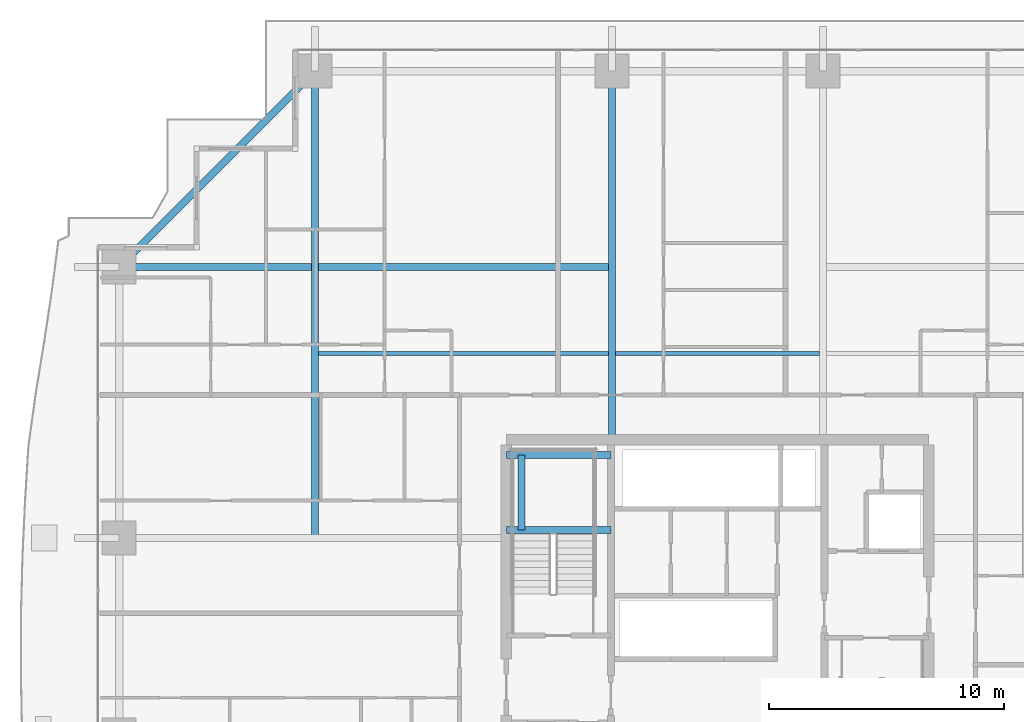
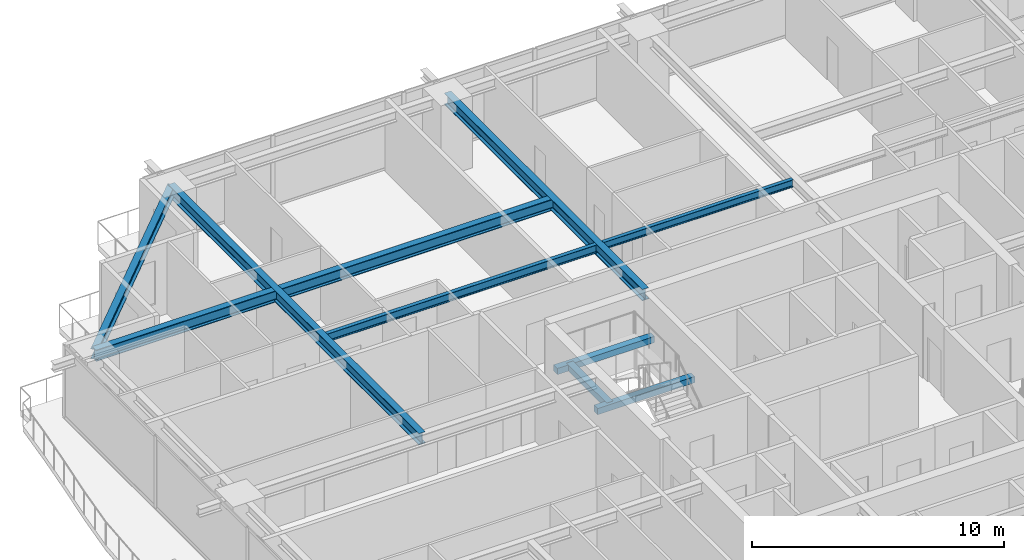
# One storey, part 18 of 39: 9 beams.
"""IFC4 building model written with IfcOpenShell, lengths in metres."""

from ifc_helpers import new_model, si_unit, direction, frame, origin, origin_2d, place, context, subcontext, project, spatial, rectangle, i_section, extrude, source, transform, mapped, material, material_profile, profile_set, type_object, element, save


model = new_model("IFC4")

# Units and contexts
model_context = context("Model", 3, precision=1e-05, world=origin(), true_north=direction((0.0, 1.0)))
body_context = subcontext(model_context, "Body", "Model", "MODEL_VIEW")
ifc_project = project(units=[si_unit("LENGTHUNIT", "METRE"), si_unit("AREAUNIT", "SQUARE_METRE"), si_unit("VOLUMEUNIT", "CUBIC_METRE"), si_unit("PLANEANGLEUNIT", "RADIAN"), si_unit("MASSUNIT", "GRAM", prefix="KILO")], contexts=[model_context])

# Site, building, storey
site_placement = place(None, origin())
site = spatial("IfcSite", under=ifc_project, at=site_placement, CompositionType="ELEMENT")
building_placement = place(site_placement, origin())
building = spatial("IfcBuilding", under=site, at=building_placement, Name="Serunith Strait Residences", CompositionType="ELEMENT")
storey_placement = place(building_placement, frame((0.0, 0.0, 60.449951171875)))
storey = spatial("IfcBuildingStorey", under=building, at=storey_placement, Name="L14", CompositionType="ELEMENT", Elevation=60.449951171875)

# Beams
ifc_material_1 = material(Name="Steel S355J2", Category="steel")
ifc_material_profile_1 = material_profile(ifc_material_1, i_section(OverallWidth=0.300048828125, OverallDepth=0.550048828125, WebThickness=0.014892578125, FlangeThickness=0.029052734375, FilletRadius=0.027099609375, at=origin_2d()), Name="HEB 550")
ifc_profile_set_1 = profile_set([ifc_material_profile_1], Name="Steel S355J2")
beam_type_1 = type_object("IfcBeamType", Name="BM-HEB550", PredefinedType="BEAM", material=ifc_profile_set_1)
shared_shape_1 = source(origin(), body_context, "Body", "SweptSolid", [
    extrude(i_section(OverallWidth=0.300048828125, OverallDepth=0.550048828125, WebThickness=0.014892578125, FlangeThickness=0.029052734375, FilletRadius=0.027099609375, at=origin_2d()), origin(), (0.0, 0.0, 1.0), 15.699951171875),
])
beam_1_placement = place(storey_placement, frame((27.89990234375, 33.60009765625, 3.212158203125), z_axis=(0.0, 1.0, 0.0), x_axis=(-1.0, 0.0, 0.0)))
element("IfcBeam", 1, at=beam_1_placement, inside=storey, type_object=beam_type_1, Name="L14 Primary Floor Girder TC-N2", PredefinedType="BEAM", context=body_context, shape_type="MappedRepresentation", body=[
    mapped(shared_shape_1, transform((0.0, 0.0, 0.0), scale=1.0)),
])
shared_shape_2 = source(origin(), body_context, "Body", "SweptSolid", [
    extrude(i_section(OverallWidth=0.300048828125, OverallDepth=0.550048828125, WebThickness=0.014892578125, FlangeThickness=0.029052734375, FilletRadius=0.027099609375, at=origin_2d()), origin(), (0.0, 0.0, 1.0), 19.900146484375),
])
beam_2_placement = place(storey_placement, frame((15.25, 29.39990234375, 3.212158203125), z_axis=(0.0, 1.0, 0.0), x_axis=(-1.0, 0.0, 0.0)))
element("IfcBeam", 2, at=beam_2_placement, inside=storey, type_object=beam_type_1, Name="L14 Orthogonal Corner Girder TC-N1", PredefinedType="BEAM", context=body_context, shape_type="MappedRepresentation", body=[
    mapped(shared_shape_2, transform((0.0, 0.0, 0.0), scale=1.0)),
])
shared_shape_3 = source(origin(), body_context, "Body", "SweptSolid", [
    extrude(i_section(OverallWidth=0.300048828125, OverallDepth=0.550048828125, WebThickness=0.014892578125, FlangeThickness=0.029052734375, FilletRadius=0.027099609375, at=origin_2d()), origin(), (0.0, 0.0, 1.0), 21.0),
])
beam_3_placement = place(storey_placement, frame((27.89990234375, 40.949951171875, 3.212158203125), z_axis=(-1.0, 0.0, 0.0), x_axis=(0.0, -1.0, 0.0)))
element("IfcBeam", 3, at=beam_3_placement, inside=storey, type_object=beam_type_1, Name="L14 Orthogonal Corner Girder TC-W4", PredefinedType="BEAM", context=body_context, shape_type="MappedRepresentation", body=[
    mapped(shared_shape_3, transform((0.0, 0.0, 0.0), scale=1.0)),
])
ifc_material_profile_2 = material_profile(ifc_material_1, i_section(OverallWidth=0.300048828125, OverallDepth=0.5, WebThickness=0.014404296875, FlangeThickness=0.028076171875, FilletRadius=0.027099609375, at=origin_2d()), Name="HEB 500")
ifc_profile_set_2 = profile_set([ifc_material_profile_2], Name="Steel S355J2")
beam_type_2 = type_object("IfcBeamType", Name="BM-HEB500", PredefinedType="BEAM", material=ifc_profile_set_2)
shared_shape_4 = source(origin(), body_context, "Body", "SweptSolid", [
    extrude(i_section(OverallWidth=0.300048828125, OverallDepth=0.5, WebThickness=0.014404296875, FlangeThickness=0.028076171875, FilletRadius=0.027099609375, at=origin_2d()), origin(), (0.0, 0.0, 1.0), 11.808837890625),
])
beam_4_placement = place(storey_placement, frame((15.25, 49.300048828125, 3.20703125), z_axis=(-0.707106781187, -0.707106781187, 0.0), x_axis=(0.707106781187, -0.707106781187, 0.0)))
element("IfcBeam", 4, at=beam_4_placement, inside=storey, type_object=beam_type_2, Name="L14 Perimeter Ring Beam 12", PredefinedType="BEAM", context=body_context, shape_type="MappedRepresentation", body=[
    mapped(shared_shape_4, transform((0.0, 0.0, 0.0), scale=1.0)),
])
ifc_material_profile_3 = material_profile(ifc_material_1, i_section(OverallWidth=0.179931640625, OverallDepth=0.39990234375, WebThickness=0.008544921875, FlangeThickness=0.013427734375, FilletRadius=0.02099609375, at=origin_2d()), Name="IPE 400")
ifc_profile_set_3 = profile_set([ifc_material_profile_3], Name="Steel S355J2")
beam_type_3 = type_object("IfcBeamType", Name="BM-IPE400", PredefinedType="JOIST", material=ifc_profile_set_3)
shared_shape_5 = source(origin(), body_context, "Body", "SweptSolid", [
    extrude(i_section(OverallWidth=0.179931640625, OverallDepth=0.39990234375, WebThickness=0.008544921875, FlangeThickness=0.013427734375, FilletRadius=0.02099609375, at=origin_2d()), origin(), (0.0, 0.0, 1.0), 12.35009765625),
])
beam_5_placement = place(storey_placement, frame((15.39990234375, 37.27490234375, 3.287109375), z_axis=(1.0, 0.0, 0.0), x_axis=(0.0, 1.0, 0.0)))
element("IfcBeam", 5, at=beam_5_placement, inside=storey, type_object=beam_type_3, Name="L14 Composite Floor Joist 04", PredefinedType="JOIST", context=body_context, shape_type="MappedRepresentation", body=[
    mapped(shared_shape_5, transform((0.0, 0.0, 0.0), scale=1.0)),
])
ifc_material_profile_4 = material_profile(ifc_material_1, i_section(OverallWidth=0.169921875, OverallDepth=0.360107421875, WebThickness=0.008056640625, FlangeThickness=0.0126953125, FilletRadius=0.01806640625, at=origin_2d()), Name="IPE 360")
ifc_profile_set_4 = profile_set([ifc_material_profile_4], Name="Steel S355J2")
beam_type_4 = type_object("IfcBeamType", Name="BM-IPE360", PredefinedType="JOIST", material=ifc_profile_set_4)
shared_shape_6 = source(origin(), body_context, "Body", "SweptSolid", [
    extrude(i_section(OverallWidth=0.169921875, OverallDepth=0.360107421875, WebThickness=0.008056640625, FlangeThickness=0.0126953125, FilletRadius=0.01806640625, at=origin_2d()), origin(), (0.0, 0.0, 1.0), 8.699951171875),
])
beam_6_placement = place(storey_placement, frame((28.050048828125, 37.27490234375, 3.30712890625), z_axis=(1.0, 0.0, 0.0), x_axis=(0.0, 1.0, 0.0)))
element("IfcBeam", 6, at=beam_6_placement, inside=storey, type_object=beam_type_4, Name="L14 Composite Floor Joist 05", PredefinedType="JOIST", context=body_context, shape_type="MappedRepresentation", body=[
    mapped(shared_shape_6, transform((0.0, 0.0, 0.0), scale=1.0)),
])
ifc_material_2 = material(Name="Concrete C60/75", Category="concrete")
ifc_material_profile_5 = material_profile(ifc_material_2, rectangle(XDim=0.300048828125, YDim=0.300048828125, at=origin_2d()), Name="RC 300x300")
ifc_profile_set_5 = profile_set([ifc_material_profile_5], Name="Concrete C60/75")
beam_type_5 = type_object("IfcBeamType", Name="BM-LAND-300x300", PredefinedType="BEAM", material=ifc_profile_set_5)
shared_shape_7 = source(origin(), body_context, "Body", "SweptSolid", [
    extrude(rectangle(XDim=0.300048828125, YDim=0.300048828125, at=origin_2d()), origin(), (0.0, 0.0, 1.0), 4.4501953125),
])
for number, where, z_axis, x_axis, name in (
    (7, (23.39990234375, 29.75, 1.525146484375), (1.0, 0.0, 0.0), (0.0, 1.0, 0.0), "L14 ST-1 Landing Support Beam 1"),
    (8, (23.39990234375, 32.949951171875, 1.525146484375), (1.0, 0.0, 0.0), (0.0, 1.0, 0.0), "L14 ST-1 Landing Support Beam 2"),
):
    element("IfcBeam", number, at=place(storey_placement, frame(where, z_axis=z_axis, x_axis=x_axis)), inside=storey, type_object=beam_type_5, Name=name, PredefinedType="BEAM", context=body_context, shape_type="MappedRepresentation", body=[
        mapped(shared_shape_7, transform((0.0, 0.0, 0.0), scale=1.0)),
    ])
shared_shape_8 = source(origin(), body_context, "Body", "SweptSolid", [
    extrude(rectangle(XDim=0.300048828125, YDim=0.300048828125, at=origin_2d()), origin(), (0.0, 0.0, 1.0), 3.199951171875),
])
beam_7_placement = place(storey_placement, frame((24.050048828125, 29.75, 1.525146484375), z_axis=(0.0, 1.0, 0.0), x_axis=(-1.0, 0.0, 0.0)))
element("IfcBeam", 9, at=beam_7_placement, inside=storey, type_object=beam_type_5, Name="L14 ST-1 Landing Transverse Tie Beam", PredefinedType="BEAM", context=body_context, shape_type="MappedRepresentation", body=[
    mapped(shared_shape_8, transform((0.0, 0.0, 0.0), scale=1.0)),
])

save(model, "model.ifc")
